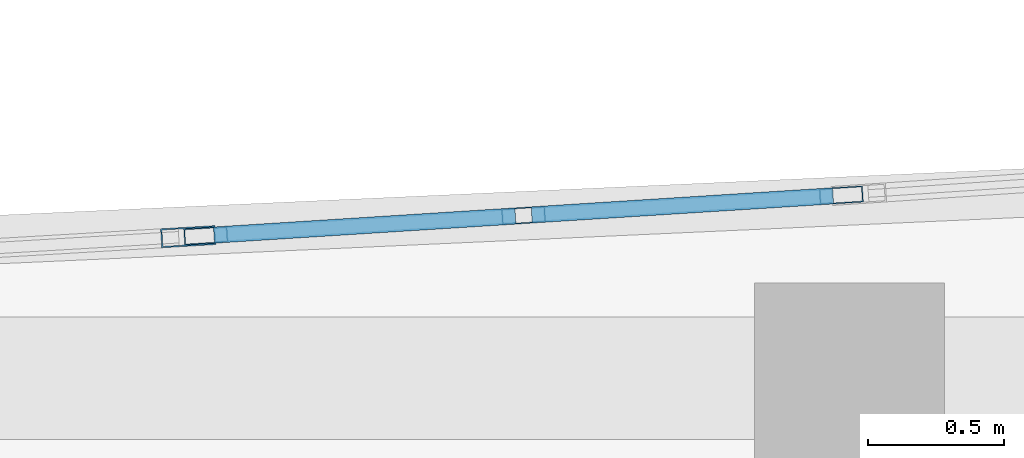
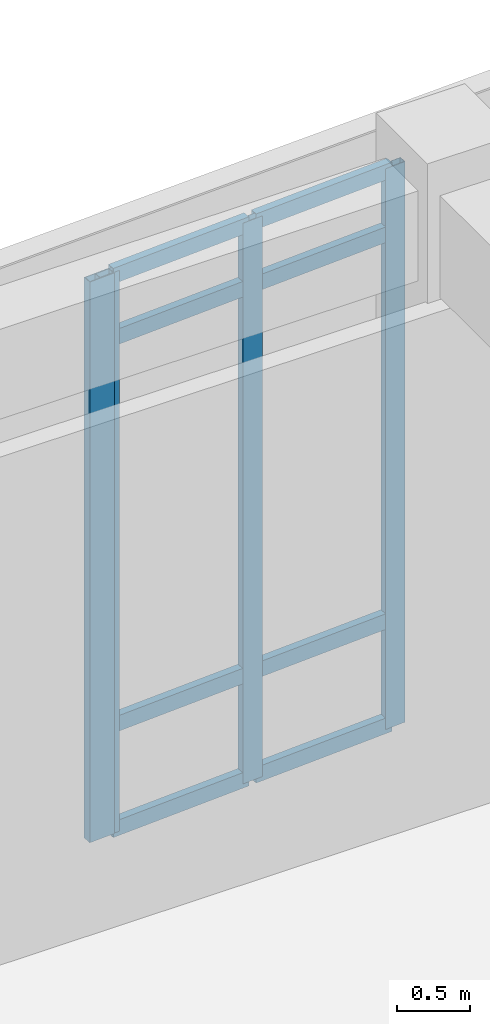
# One storey, part 26 of 102: 12 members, 2 elements without a shape of their own.
"""IFC4 building model written with IfcOpenShell, lengths in metres."""

from ifc_helpers import new_model, si_unit, direction, frame, origin, origin_2d, place, context, subcontext, project, spatial, hollow_rectangle, extrude, material, layer, layer_set, material_profile, profile_set, type_object, element, aggregate, save


model = new_model("IFC4")

# Units and contexts
model_context = context("Model", 3, precision=1e-05, world=origin(), true_north=direction((0.0, 1.0)))
body_context = subcontext(model_context, "Body", "Model", "MODEL_VIEW")
ifc_project = project(units=[si_unit("LENGTHUNIT", "METRE"), si_unit("AREAUNIT", "SQUARE_METRE"), si_unit("VOLUMEUNIT", "CUBIC_METRE"), si_unit("PLANEANGLEUNIT", "RADIAN"), si_unit("MASSUNIT", "GRAM", prefix="KILO")], contexts=[model_context])

# Site, building, storey
site_placement = place(None, origin())
site = spatial("IfcSite", under=ifc_project, at=site_placement, CompositionType="ELEMENT")
building_placement = place(site_placement, origin())
building = spatial("IfcBuilding", under=site, at=building_placement, Name="Carrowvane Square Congress Hotel", CompositionType="ELEMENT")
storey_placement = place(building_placement, origin())
storey = spatial("IfcBuildingStorey", under=building, at=storey_placement, Name="L00", CompositionType="ELEMENT", Elevation=0.0)

# Curtain wall, members
ifc_material_1 = material(Name="Anodised aluminium", Category="aluminium")
ifc_layer_1 = layer(ifc_material_1, 0.2099609375)
ifc_layer_set_1 = layer_set([ifc_layer_1], Name="Anodised aluminium")
curtain_wall_type_1 = type_object("IfcCurtainWallType", Name="CW-SYS-5", PredefinedType="NOTDEFINED", material=ifc_layer_set_1)
curtain_wall_1_placement = place(storey_placement, origin())
curtain_wall_1 = element("IfcCurtainWall", 1, at=curtain_wall_1_placement, inside=storey, type_object=curtain_wall_type_1, Name="L00 unitised curtain wall 4", PredefinedType="NOTDEFINED")
ifc_material_2 = material(Name="Anodised aluminium", Category="aluminium")
ifc_material_profile_1 = material_profile(ifc_material_2, hollow_rectangle(XDim=0.06005859375, YDim=0.159912109375, WallThickness=0.00390625, at=origin_2d()), Name="CW-ML 60x160x4")
ifc_profile_set_1 = profile_set([ifc_material_profile_1], Name="Anodised aluminium")
member_type_1 = type_object("IfcMemberType", Name="CW-MUL-1", PredefinedType="MULLION", material=ifc_profile_set_1)
member_1_placement = place(storey_placement, frame((45.22998046875, 113.925048828125, 0.0), z_axis=(0.0, 0.0, 1.0), x_axis=(-0.063273487972, 0.997996225303, 0.0)))
member_1 = element("IfcMember", 2, at=member_1_placement, type_object=member_type_1, Name="CW-5 mullion 1", PredefinedType="MULLION", context=body_context, shape_type="SweptSolid", body=[
    extrude(hollow_rectangle(XDim=0.06005859375, YDim=0.159912109375, WallThickness=0.00390625, at=origin_2d()), origin(), (0.0, 0.0, 1.0), 4.675537109375),
])
member_2_placement = place(storey_placement, frame((46.39990234375, 113.999267578125, 0.0), z_axis=(0.0, 0.0, 1.0), x_axis=(-0.063273487972, 0.997996225303, 0.0)))
member_2 = element("IfcMember", 3, at=member_2_placement, type_object=member_type_1, Name="CW-5 mullion 2", PredefinedType="MULLION", context=body_context, shape_type="SweptSolid", body=[
    extrude(hollow_rectangle(XDim=0.06005859375, YDim=0.159912109375, WallThickness=0.00390625, at=origin_2d()), origin(), (0.0, 0.0, 1.0), 4.675537109375),
])
member_3_placement = place(storey_placement, frame((47.570068359375, 114.073486328125, 0.0), z_axis=(0.0, 0.0, 1.0), x_axis=(-0.063273487972, 0.997996225303, 0.0)))
member_3 = element("IfcMember", 4, at=member_3_placement, type_object=member_type_1, Name="CW-5 mullion 3", PredefinedType="MULLION", context=body_context, shape_type="SweptSolid", body=[
    extrude(hollow_rectangle(XDim=0.06005859375, YDim=0.159912109375, WallThickness=0.00390625, at=origin_2d()), origin(), (0.0, 0.0, 1.0), 4.675537109375),
])

# Curtain wall, member
ifc_material_3 = material(Name="Anodised aluminium", Category="aluminium")
ifc_layer_2 = layer(ifc_material_3, 0.197998046875)
ifc_layer_set_2 = layer_set([ifc_layer_2], Name="Anodised aluminium")
curtain_wall_type_2 = type_object("IfcCurtainWallType", Name="CW-SYS-4", PredefinedType="NOTDEFINED", material=ifc_layer_set_2)
curtain_wall_2_placement = place(storey_placement, origin())
curtain_wall_2 = element("IfcCurtainWall", 5, at=curtain_wall_2_placement, inside=storey, type_object=curtain_wall_type_2, Name="L00 unitised curtain wall 3", PredefinedType="NOTDEFINED")
ifc_material_4 = material(Name="Anodised aluminium", Category="aluminium")
ifc_material_profile_2 = material_profile(ifc_material_4, hollow_rectangle(XDim=0.070068359375, YDim=0.199951171875, WallThickness=0.0048828125, at=origin_2d()), Name="CW-ML 70x200x5")
ifc_profile_set_2 = profile_set([ifc_material_profile_2], Name="Anodised aluminium")
member_type_2 = type_object("IfcMemberType", Name="CW-MUL-2", PredefinedType="MULLION", material=ifc_profile_set_2)
member_4_placement = place(storey_placement, frame((45.1650390625, 113.921142578125, 0.0), z_axis=(0.0, 0.0, 1.0), x_axis=(-0.058988522254, 0.99825866099, 0.0)))
member_4 = element("IfcMember", 6, at=member_4_placement, type_object=member_type_2, Name="CW-4 mullion 2", PredefinedType="MULLION", context=body_context, shape_type="SweptSolid", body=[
    extrude(hollow_rectangle(XDim=0.070068359375, YDim=0.199951171875, WallThickness=0.0048828125, at=origin_2d()), origin(), (0.0, 0.0, 1.0), 4.675537109375),
])
aggregate(curtain_wall_2, [member_4])

# Member
ifc_material_5 = material(Name="Anodised aluminium", Category="aluminium")
ifc_material_profile_3 = material_profile(ifc_material_5, hollow_rectangle(XDim=0.06005859375, YDim=0.1298828125, WallThickness=0.00390625, at=origin_2d()), Name="CW-TR 60x130x4")
ifc_profile_set_3 = profile_set([ifc_material_profile_3], Name="Anodised aluminium")
member_type_3 = type_object("IfcMemberType", Name="CW-TRN-1", PredefinedType="USERDEFINED", material=ifc_profile_set_3)
member_5_placement = place(storey_placement, frame((45.259765625, 113.927001953125, 0.030029296875), z_axis=(0.998001011376, 0.063197953227, 0.0), x_axis=(-0.063197953227, 0.998001011376, 0.0)))
member_5 = element("IfcMember", 7, at=member_5_placement, type_object=member_type_3, Name="CW-5 transom 1.1", ObjectType="TRANSOM", PredefinedType="USERDEFINED", context=body_context, shape_type="SweptSolid", body=[
    extrude(hollow_rectangle(XDim=0.06005859375, YDim=0.1298828125, WallThickness=0.00390625, at=origin_2d()), origin(), (0.0, 0.0, 1.0), 1.112548828125),
])

member_6_placement = place(storey_placement, frame((45.259765625, 113.927001953125, 0.89990234375), z_axis=(0.998001011376, 0.063197953227, 0.0), x_axis=(-0.063197953227, 0.998001011376, 0.0)))
member_6 = element("IfcMember", 8, at=member_6_placement, type_object=member_type_3, Name="CW-5 transom 1.2", ObjectType="TRANSOM", PredefinedType="USERDEFINED", context=body_context, shape_type="SweptSolid", body=[
    extrude(hollow_rectangle(XDim=0.06005859375, YDim=0.1298828125, WallThickness=0.00390625, at=origin_2d()), origin(), (0.0, 0.0, 1.0), 1.112548828125),
])

member_7_placement = place(storey_placement, frame((45.259765625, 113.927001953125, 4.12548828125), z_axis=(0.998001011376, 0.063197953227, 0.0), x_axis=(-0.063197953227, 0.998001011376, 0.0)))
member_7 = element("IfcMember", 9, at=member_7_placement, type_object=member_type_3, Name="CW-5 transom 1.3", ObjectType="TRANSOM", PredefinedType="USERDEFINED", context=body_context, shape_type="SweptSolid", body=[
    extrude(hollow_rectangle(XDim=0.06005859375, YDim=0.1298828125, WallThickness=0.00390625, at=origin_2d()), origin(), (0.0, 0.0, 1.0), 1.112548828125),
])

member_8_placement = place(storey_placement, frame((45.259765625, 113.927001953125, 4.6455078125), z_axis=(0.998001011376, 0.063197953227, 0.0), x_axis=(-0.063197953227, 0.998001011376, 0.0)))
member_8 = element("IfcMember", 10, at=member_8_placement, type_object=member_type_3, Name="CW-5 transom 1.4", ObjectType="TRANSOM", PredefinedType="USERDEFINED", context=body_context, shape_type="SweptSolid", body=[
    extrude(hollow_rectangle(XDim=0.06005859375, YDim=0.1298828125, WallThickness=0.00390625, at=origin_2d()), origin(), (0.0, 0.0, 1.0), 1.112548828125),
])

member_9_placement = place(storey_placement, frame((46.429931640625, 114.001220703125, 0.030029296875), z_axis=(0.99800013466, 0.063211796521, 0.0), x_axis=(-0.063211796521, 0.99800013466, 0.0)))
member_9 = element("IfcMember", 11, at=member_9_placement, type_object=member_type_3, Name="CW-5 transom 2.1", ObjectType="TRANSOM", PredefinedType="USERDEFINED", context=body_context, shape_type="SweptSolid", body=[
    extrude(hollow_rectangle(XDim=0.06005859375, YDim=0.1298828125, WallThickness=0.00390625, at=origin_2d()), origin(), (0.0, 0.0, 1.0), 1.1123046875),
])

member_10_placement = place(storey_placement, frame((46.429931640625, 114.001220703125, 0.89990234375), z_axis=(0.99800013466, 0.063211796521, 0.0), x_axis=(-0.063211796521, 0.99800013466, 0.0)))
member_10 = element("IfcMember", 12, at=member_10_placement, type_object=member_type_3, Name="CW-5 transom 2.2", ObjectType="TRANSOM", PredefinedType="USERDEFINED", context=body_context, shape_type="SweptSolid", body=[
    extrude(hollow_rectangle(XDim=0.06005859375, YDim=0.1298828125, WallThickness=0.00390625, at=origin_2d()), origin(), (0.0, 0.0, 1.0), 1.1123046875),
])

member_11_placement = place(storey_placement, frame((46.429931640625, 114.001220703125, 4.12548828125), z_axis=(0.99800013466, 0.063211796521, 0.0), x_axis=(-0.063211796521, 0.99800013466, 0.0)))
member_11 = element("IfcMember", 13, at=member_11_placement, type_object=member_type_3, Name="CW-5 transom 2.3", ObjectType="TRANSOM", PredefinedType="USERDEFINED", context=body_context, shape_type="SweptSolid", body=[
    extrude(hollow_rectangle(XDim=0.06005859375, YDim=0.1298828125, WallThickness=0.00390625, at=origin_2d()), origin(), (0.0, 0.0, 1.0), 1.1123046875),
])

member_12_placement = place(storey_placement, frame((46.429931640625, 114.001220703125, 4.6455078125), z_axis=(0.99800013466, 0.063211796521, 0.0), x_axis=(-0.063211796521, 0.99800013466, 0.0)))
member_12 = element("IfcMember", 14, at=member_12_placement, type_object=member_type_3, Name="CW-5 transom 2.4", ObjectType="TRANSOM", PredefinedType="USERDEFINED", context=body_context, shape_type="SweptSolid", body=[
    extrude(hollow_rectangle(XDim=0.06005859375, YDim=0.1298828125, WallThickness=0.00390625, at=origin_2d()), origin(), (0.0, 0.0, 1.0), 1.1123046875),
])

aggregate(curtain_wall_1, [member_1, member_2, member_3, member_5, member_6, member_7, member_8, member_9, member_10, member_11, member_12])

save(model, "model.ifc")
